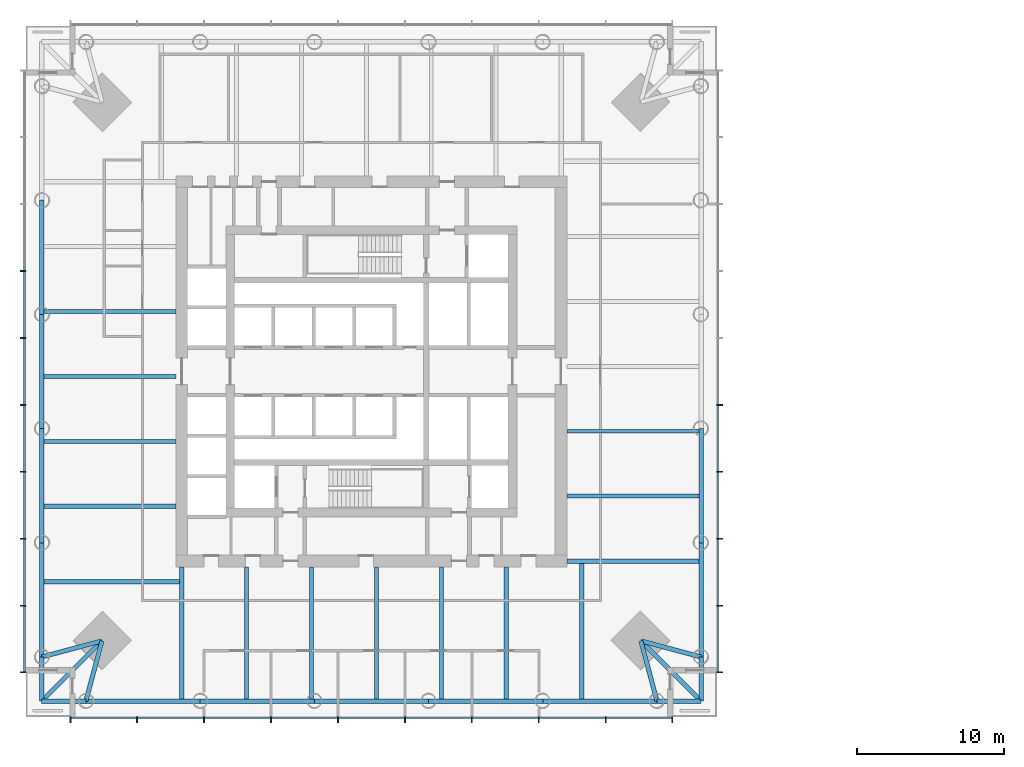
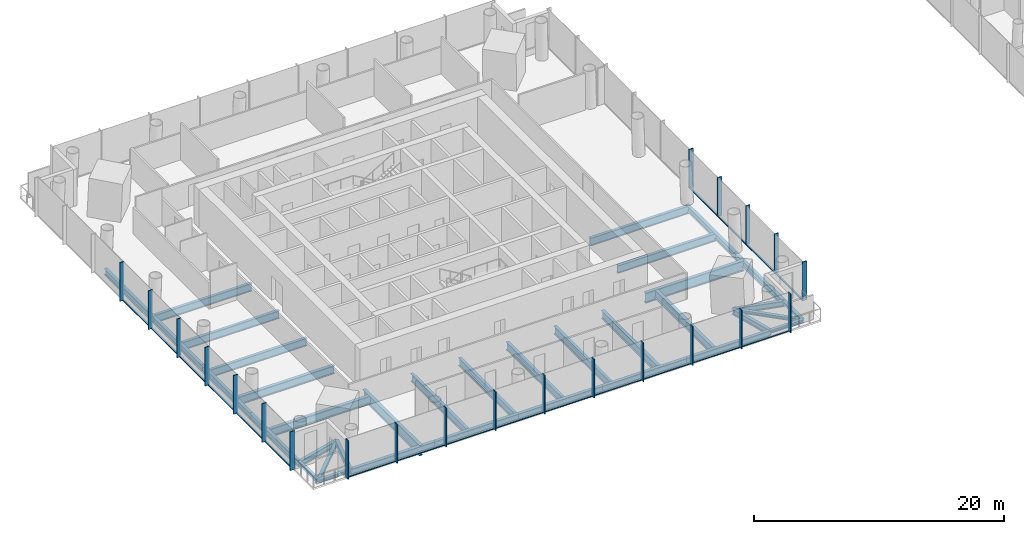
# One storey, part 2 of 18: 41 members, 36 beams, 3 elements without a shape of their own.
"""IFC4 building model written with IfcOpenShell, lengths in metres."""

from ifc_helpers import new_model, si_unit, direction, frame, origin, origin_2d, place, context, subcontext, project, spatial, rectangle, i_section, extrude, material, material_profile, profile_set, type_object, element, aggregate, save


model = new_model("IFC4")

# Units and contexts
model_context = context("Model", 3, precision=1e-05, world=origin(), true_north=direction((0.0, 1.0)))
body_context = subcontext(model_context, "Body", "Model", "MODEL_VIEW")
ifc_project = project(units=[si_unit("LENGTHUNIT", "METRE"), si_unit("AREAUNIT", "SQUARE_METRE"), si_unit("VOLUMEUNIT", "CUBIC_METRE"), si_unit("PLANEANGLEUNIT", "RADIAN"), si_unit("MASSUNIT", "GRAM", prefix="KILO")], contexts=[model_context])

# Site, building, storey
site_placement = place(None, origin())
site = spatial("IfcSite", under=ifc_project, at=site_placement, CompositionType="ELEMENT")
building_placement = place(site_placement, origin())
building = spatial("IfcBuilding", under=site, at=building_placement, Name="Ostroluk Exchange", CompositionType="ELEMENT")
storey_placement = place(building_placement, frame((0.0, 0.0, 70.39990234375)))
storey = spatial("IfcBuildingStorey", under=building, at=storey_placement, Name="L17", CompositionType="ELEMENT", Elevation=70.39990234375)

# Beams
ifc_material_1 = material(Name="Steel S355", Category="steel")
ifc_material_profile_1 = material_profile(ifc_material_1, i_section(OverallWidth=0.300048828125, OverallDepth=0.300048828125, WebThickness=0.010986328125, FlangeThickness=0.01904296875, FilletRadius=0.027099609375, at=origin_2d()), Name="HEB 300")
ifc_profile_set_1 = profile_set([ifc_material_profile_1], Name="Steel S355")
beam_type_1 = type_object("IfcBeamType", Name="Balcony beam HEB 300", PredefinedType="BEAM", material=ifc_profile_set_1)
for number, where, z_axis, x_axis, name in (
    (1, (22.57861328125, 26.57861328125, -0.329833984375), (0.0, -1.0, 0.0), (1.0, 0.0, 0.0), "T1 west balcony beam a"),
    (2, (25.57861328125, 23.57861328125, -0.329833984375), (-1.0, 0.0, 0.0), (0.0, -1.0, 0.0), "T1 west balcony beam b"),
):
    element("IfcBeam", number, at=place(storey_placement, frame(where, z_axis=z_axis, x_axis=x_axis)), inside=storey, type_object=beam_type_1, Name=name, PredefinedType="BEAM", context=body_context, shape_type="SweptSolid", body=[
        extrude(i_section(OverallWidth=0.300048828125, OverallDepth=0.300048828125, WebThickness=0.010986328125, FlangeThickness=0.01904296875, FilletRadius=0.027099609375, at=origin_2d()), origin(), (0.0, 0.0, 1.0), 3.0),
    ])
beam_1_placement = place(storey_placement, frame((26.678466796875, 27.678466796875, -0.329833984375), z_axis=(-0.707106781187, -0.707106781187, 0.0), x_axis=(0.707106781187, -0.707106781187, 0.0)))
element("IfcBeam", 3, at=beam_1_placement, inside=storey, type_object=beam_type_1, Name="T1 west balcony beam c", PredefinedType="BEAM", context=body_context, shape_type="SweptSolid", body=[
    extrude(i_section(OverallWidth=0.300048828125, OverallDepth=0.300048828125, WebThickness=0.010986328125, FlangeThickness=0.01904296875, FilletRadius=0.027099609375, at=origin_2d()), origin(), (0.0, 0.0, 1.0), 5.798095703125),
])
for number, where, z_axis, x_axis, name in (
    (4, (64.42138671875, 23.57861328125, -0.329833984375), (1.0, 0.0, 0.0), (0.0, 1.0, 0.0), "T1 south balcony beam a"),
    (5, (67.42138671875, 26.57861328125, -0.329833984375), (0.0, -1.0, 0.0), (1.0, 0.0, 0.0), "T1 south balcony beam b"),
):
    element("IfcBeam", number, at=place(storey_placement, frame(where, z_axis=z_axis, x_axis=x_axis)), inside=storey, type_object=beam_type_1, Name=name, PredefinedType="BEAM", context=body_context, shape_type="SweptSolid", body=[
        extrude(i_section(OverallWidth=0.300048828125, OverallDepth=0.300048828125, WebThickness=0.010986328125, FlangeThickness=0.01904296875, FilletRadius=0.027099609375, at=origin_2d()), origin(), (0.0, 0.0, 1.0), 3.0),
    ])
beam_2_placement = place(storey_placement, frame((63.321533203125, 27.678466796875, -0.329833984375), z_axis=(0.707106781187, -0.707106781187, 0.0), x_axis=(0.707106781187, 0.707106781187, 0.0)))
element("IfcBeam", 6, at=beam_2_placement, inside=storey, type_object=beam_type_1, Name="T1 south balcony beam c", PredefinedType="BEAM", context=body_context, shape_type="SweptSolid", body=[
    extrude(i_section(OverallWidth=0.300048828125, OverallDepth=0.300048828125, WebThickness=0.010986328125, FlangeThickness=0.01904296875, FilletRadius=0.027099609375, at=origin_2d()), origin(), (0.0, 0.0, 1.0), 5.798095703125),
])
ifc_material_2 = material(Name="Steel S355", Category="steel")
ifc_material_profile_2 = material_profile(ifc_material_2, i_section(OverallWidth=0.300048828125, OverallDepth=0.550048828125, WebThickness=0.014892578125, FlangeThickness=0.029052734375, FilletRadius=0.027099609375, at=origin_2d()), Name="HEB 550")
ifc_profile_set_2 = profile_set([ifc_material_profile_2], Name="Steel S355")
beam_type_2 = type_object("IfcBeamType", Name="Corner edge beam HEB 550", PredefinedType="SPANDREL", material=ifc_profile_set_2)
for number, where, z_axis, x_axis, name in (
    (7, (26.678466796875, 27.678466796875, -0.454833984375), (-0.965849156574, -0.259105011038, 0.0), (0.259105011038, -0.965849156574, 0.0), "T1 west corner edge beam a"),
    (8, (26.678466796875, 27.678466796875, -0.454833984375), (-0.259105011038, -0.965849156574, 0.0), (0.965849156574, -0.259105011038, 0.0), "T1 west corner edge beam b"),
    (9, (63.321533203125, 27.678466796875, -0.454833984375), (0.259105011038, -0.965849156574, 0.0), (0.965849156574, 0.259105011038, 0.0), "T1 south corner edge beam a"),
    (10, (63.321533203125, 27.678466796875, -0.454833984375), (0.965849156574, -0.259105011038, 0.0), (0.259105011038, 0.965849156574, 0.0), "T1 south corner edge beam b"),
):
    element("IfcBeam", number, at=place(storey_placement, frame(where, z_axis=z_axis, x_axis=x_axis)), inside=storey, type_object=beam_type_2, Name=name, PredefinedType="SPANDREL", context=body_context, shape_type="SweptSolid", body=[
        extrude(i_section(OverallWidth=0.300048828125, OverallDepth=0.550048828125, WebThickness=0.014892578125, FlangeThickness=0.029052734375, FilletRadius=0.027099609375, at=origin_2d()), origin(), (0.0, 0.0, 1.0), 4.244873046875),
    ])
ifc_material_3 = material(Name="Steel S355", Category="steel")
ifc_material_profile_3 = material_profile(ifc_material_3, i_section(OverallWidth=0.302978515625, OverallDepth=0.81396484375, WebThickness=0.02099609375, FlangeThickness=0.0400390625, FilletRadius=0.030029296875, at=origin_2d()), Name="HEM 800")
ifc_profile_set_3 = profile_set([ifc_material_profile_3], Name="Steel S355")
beam_type_3 = type_object("IfcBeamType", Name="Floor beam HEM 800", PredefinedType="BEAM", material=ifc_profile_set_3)
beam_3_placement = place(storey_placement, frame((31.699951171875, 36.82421875, -0.5869140625), z_axis=(-1.0, 0.0, 0.0), x_axis=(0.0, -1.0, 0.0)))
element("IfcBeam", 11, at=beam_3_placement, inside=storey, type_object=beam_type_3, Name="T1 west floor beam 5", PredefinedType="BEAM", context=body_context, shape_type="SweptSolid", body=[
    extrude(i_section(OverallWidth=0.302978515625, OverallDepth=0.81396484375, WebThickness=0.02099609375, FlangeThickness=0.0400390625, FilletRadius=0.030029296875, at=origin_2d()), origin(), (0.0, 0.0, 1.0), 9.121337890625),
])
beam_4_placement = place(storey_placement, frame((32.10009765625, 31.699951171875, -0.5869140625), z_axis=(-1.0, 0.0, 0.0), x_axis=(0.0, -1.0, 0.0)))
element("IfcBeam", 12, at=beam_4_placement, inside=storey, type_object=beam_type_3, Name="T1 west floor beam 6", PredefinedType="BEAM", context=body_context, shape_type="SweptSolid", body=[
    extrude(i_section(OverallWidth=0.302978515625, OverallDepth=0.81396484375, WebThickness=0.02099609375, FlangeThickness=0.0400390625, FilletRadius=0.030029296875, at=origin_2d()), origin(), (0.0, 0.0, 1.0), 9.521484375),
])
beam_5_placement = place(storey_placement, frame((54.17578125, 32.699951171875, -0.5869140625), z_axis=(0.0, -1.0, 0.0), x_axis=(1.0, 0.0, 0.0)))
element("IfcBeam", 13, at=beam_5_placement, inside=storey, type_object=beam_type_3, Name="T1 south floor beam 5", PredefinedType="BEAM", context=body_context, shape_type="SweptSolid", body=[
    extrude(i_section(OverallWidth=0.302978515625, OverallDepth=0.81396484375, WebThickness=0.02099609375, FlangeThickness=0.0400390625, FilletRadius=0.030029296875, at=origin_2d()), origin(), (0.0, 0.0, 1.0), 9.121337890625),
])
beam_6_placement = place(storey_placement, frame((59.300048828125, 33.10009765625, -0.5869140625), z_axis=(0.0, -1.0, 0.0), x_axis=(1.0, 0.0, 0.0)))
element("IfcBeam", 14, at=beam_6_placement, inside=storey, type_object=beam_type_3, Name="T1 south floor beam 6", PredefinedType="BEAM", context=body_context, shape_type="SweptSolid", body=[
    extrude(i_section(OverallWidth=0.302978515625, OverallDepth=0.81396484375, WebThickness=0.02099609375, FlangeThickness=0.0400390625, FilletRadius=0.030029296875, at=origin_2d()), origin(), (0.0, 0.0, 1.0), 9.521484375),
])
ifc_material_4 = material(Name="Steel S355", Category="steel")
ifc_material_profile_4 = material_profile(ifc_material_4, i_section(OverallWidth=0.26806640625, OverallDepth=0.77001953125, WebThickness=0.015625, FlangeThickness=0.025390625, FilletRadius=0.01708984375, at=origin_2d()), Name="IPE 750x196")
ifc_profile_set_4 = profile_set([ifc_material_profile_4], Name="Steel S355")
beam_type_4 = type_object("IfcBeamType", Name="Floor beam IPE 750x196", PredefinedType="BEAM", material=ifc_profile_set_4)
for number, where, z_axis, x_axis, name in (
    (15, (58.300048828125, 37.51513671875, -0.56494140625), (1.0, 0.0, 0.0), (0.0, 1.0, 0.0), "T1 east floor beam 1"),
    (16, (58.300048828125, 41.930419921875, -0.56494140625), (1.0, 0.0, 0.0), (0.0, 1.0, 0.0), "T1 east floor beam 2"),
    (17, (31.699951171875, 50.069580078125, -0.56494140625), (-1.0, 0.0, 0.0), (0.0, -1.0, 0.0), "T1 west floor beam 2"),
    (18, (31.699951171875, 45.654541015625, -0.56494140625), (-1.0, 0.0, 0.0), (0.0, -1.0, 0.0), "T1 west floor beam 3"),
    (19, (31.699951171875, 41.2392578125, -0.56494140625), (-1.0, 0.0, 0.0), (0.0, -1.0, 0.0), "T1 west floor beam 4"),
    (20, (36.51513671875, 32.699951171875, -0.56494140625), (0.0, -1.0, 0.0), (1.0, 0.0, 0.0), "T1 south floor beam 1"),
    (21, (40.930419921875, 32.699951171875, -0.56494140625), (0.0, -1.0, 0.0), (1.0, 0.0, 0.0), "T1 south floor beam 2"),
    (22, (45.345458984375, 32.699951171875, -0.56494140625), (0.0, -1.0, 0.0), (1.0, 0.0, 0.0), "T1 south floor beam 3"),
    (23, (49.7607421875, 32.699951171875, -0.56494140625), (0.0, -1.0, 0.0), (1.0, 0.0, 0.0), "T1 south floor beam 4"),
):
    element("IfcBeam", number, at=place(storey_placement, frame(where, z_axis=z_axis, x_axis=x_axis)), inside=storey, type_object=beam_type_4, Name=name, PredefinedType="BEAM", context=body_context, shape_type="SweptSolid", body=[
        extrude(i_section(OverallWidth=0.26806640625, OverallDepth=0.77001953125, WebThickness=0.015625, FlangeThickness=0.025390625, FilletRadius=0.01708984375, at=origin_2d()), origin(), (0.0, 0.0, 1.0), 9.121337890625),
    ])
ifc_material_5 = material(Name="Steel S355", Category="steel")
ifc_material_profile_5 = material_profile(ifc_material_5, i_section(OverallWidth=0.302001953125, OverallDepth=1.008056640625, WebThickness=0.02099609375, FlangeThickness=0.0400390625, FilletRadius=0.030029296875, at=origin_2d()), Name="HEM 1000")
ifc_profile_set_5 = profile_set([ifc_material_profile_5], Name="Steel S355")
beam_type_5 = type_object("IfcBeamType", Name="Girder HEM 1000", PredefinedType="BEAM", material=ifc_profile_set_5)
for number, where, z_axis, x_axis, name in (
    (24, (32.10009765625, 32.699951171875, -0.683837890625), (0.0, -1.0, 0.0), (1.0, 0.0, 0.0), "T1 west girder"),
    (25, (58.300048828125, 33.10009765625, -0.683837890625), (1.0, 0.0, 0.0), (0.0, 1.0, 0.0), "T1 south girder"),
):
    element("IfcBeam", number, at=place(storey_placement, frame(where, z_axis=z_axis, x_axis=x_axis)), inside=storey, type_object=beam_type_5, Name=name, PredefinedType="BEAM", context=body_context, shape_type="SweptSolid", body=[
        extrude(i_section(OverallWidth=0.302001953125, OverallDepth=1.008056640625, WebThickness=0.02099609375, FlangeThickness=0.0400390625, FilletRadius=0.030029296875, at=origin_2d()), origin(), (0.0, 0.0, 1.0), 9.121337890625),
    ])
ifc_material_6 = material(Name="Steel S355", Category="steel")
ifc_material_profile_6 = material_profile(ifc_material_6, i_section(OverallWidth=0.300048828125, OverallDepth=0.60009765625, WebThickness=0.015380859375, FlangeThickness=0.030029296875, FilletRadius=0.027099609375, at=origin_2d()), Name="HEB 600")
ifc_profile_set_6 = profile_set([ifc_material_profile_6], Name="Steel S355")
beam_type_6 = type_object("IfcBeamType", Name="Moment-connected edge beam HEB 600", PredefinedType="SPANDREL", material=ifc_profile_set_6)
for number, where, z_axis, x_axis, name in (
    (26, (67.42138671875, 26.57861328125, -0.47998046875), (0.0, 1.0, 0.0), (-1.0, 0.0, 0.0), "T1 east edge beam 1"),
    (27, (67.42138671875, 34.34716796875, -0.47998046875), (0.0, 1.0, 0.0), (-1.0, 0.0, 0.0), "T1 east edge beam 2"),
    (28, (22.57861328125, 57.65283203125, -0.47998046875), (0.0, -1.0, 0.0), (1.0, 0.0, 0.0), "T1 west edge beam 2"),
    (29, (22.57861328125, 49.88427734375, -0.47998046875), (0.0, -1.0, 0.0), (1.0, 0.0, 0.0), "T1 west edge beam 3"),
    (30, (22.57861328125, 42.11572265625, -0.47998046875), (0.0, -1.0, 0.0), (1.0, 0.0, 0.0), "T1 west edge beam 4"),
    (31, (22.57861328125, 34.34716796875, -0.47998046875), (0.0, -1.0, 0.0), (1.0, 0.0, 0.0), "T1 west edge beam 5"),
    (32, (25.57861328125, 23.57861328125, -0.47998046875), (1.0, 0.0, 0.0), (0.0, 1.0, 0.0), "T1 south edge beam 1"),
    (33, (33.34716796875, 23.57861328125, -0.47998046875), (1.0, 0.0, 0.0), (0.0, 1.0, 0.0), "T1 south edge beam 2"),
    (34, (41.11572265625, 23.57861328125, -0.47998046875), (1.0, 0.0, 0.0), (0.0, 1.0, 0.0), "T1 south edge beam 3"),
    (35, (48.88427734375, 23.57861328125, -0.47998046875), (1.0, 0.0, 0.0), (0.0, 1.0, 0.0), "T1 south edge beam 4"),
    (36, (56.65283203125, 23.57861328125, -0.47998046875), (1.0, 0.0, 0.0), (0.0, 1.0, 0.0), "T1 south edge beam 5"),
):
    element("IfcBeam", number, at=place(storey_placement, frame(where, z_axis=z_axis, x_axis=x_axis)), inside=storey, type_object=beam_type_6, Name=name, PredefinedType="SPANDREL", context=body_context, shape_type="SweptSolid", body=[
        extrude(i_section(OverallWidth=0.300048828125, OverallDepth=0.60009765625, WebThickness=0.015380859375, FlangeThickness=0.030029296875, FilletRadius=0.027099609375, at=origin_2d()), origin(), (0.0, 0.0, 1.0), 7.7685546875),
    ])

# Curtain wall, members
ifc_material_7 = material(Name="Laminated clear glass", Category="glass")
curtain_wall_type = type_object("IfcCurtainWallType", Name="Office tower facade", PredefinedType="USERDEFINED", material=ifc_material_7)
curtain_wall_1_placement = place(storey_placement, origin())
curtain_wall_1 = element("IfcCurtainWall", 37, at=curtain_wall_1_placement, inside=storey, type_object=curtain_wall_type, Name="Office tower south facade L17", ObjectType="UNITISED CURTAIN WALL", PredefinedType="USERDEFINED")
ifc_material_8 = material(Name="Aluminium mullion", Category="aluminium")
ifc_material_profile_7 = material_profile(ifc_material_8, rectangle(XDim=0.14990234375, YDim=0.080078125, at=origin_2d()), Name="Sill transom 80 x 150")
ifc_profile_set_7 = profile_set([ifc_material_profile_7], Name="Aluminium mullion")
member_type_1 = type_object("IfcMemberType", Name="Sill transom 80 x 150", PredefinedType="USERDEFINED", material=ifc_profile_set_7)
member_1_placement = place(storey_placement, frame((24.580078125, 22.425048828125, 0.0400390625), z_axis=(1.0, 0.0, 0.0), x_axis=(0.0, 1.0, 0.0)))
member_1 = element("IfcMember", 38, at=member_1_placement, type_object=member_type_1, Name="CW-O1 transom 1.1", ObjectType="TRANSOM", PredefinedType="USERDEFINED", context=body_context, shape_type="SweptSolid", body=[
    extrude(rectangle(XDim=0.14990234375, YDim=0.080078125, at=origin_2d()), origin(), (0.0, 0.0, 1.0), 4.435546875),
])
member_2_placement = place(storey_placement, frame((29.095458984375, 22.425048828125, 0.0400390625), z_axis=(1.0, 0.0, 0.0), x_axis=(0.0, 1.0, 0.0)))
member_2 = element("IfcMember", 39, at=member_2_placement, type_object=member_type_1, Name="CW-O1 transom 2.1", ObjectType="TRANSOM", PredefinedType="USERDEFINED", context=body_context, shape_type="SweptSolid", body=[
    extrude(rectangle(XDim=0.14990234375, YDim=0.080078125, at=origin_2d()), origin(), (0.0, 0.0, 1.0), 4.4755859375),
])
member_3_placement = place(storey_placement, frame((33.651123046875, 22.425048828125, 0.0400390625), z_axis=(1.0, 0.0, 0.0), x_axis=(0.0, 1.0, 0.0)))
member_3 = element("IfcMember", 40, at=member_3_placement, type_object=member_type_1, Name="CW-O1 transom 3.1", ObjectType="TRANSOM", PredefinedType="USERDEFINED", context=body_context, shape_type="SweptSolid", body=[
    extrude(rectangle(XDim=0.14990234375, YDim=0.080078125, at=origin_2d()), origin(), (0.0, 0.0, 1.0), 4.4755859375),
])
member_4_placement = place(storey_placement, frame((38.206787109375, 22.425048828125, 0.0400390625), z_axis=(1.0, 0.0, 0.0), x_axis=(0.0, 1.0, 0.0)))
member_4 = element("IfcMember", 41, at=member_4_placement, type_object=member_type_1, Name="CW-O1 transom 4.1", ObjectType="TRANSOM", PredefinedType="USERDEFINED", context=body_context, shape_type="SweptSolid", body=[
    extrude(rectangle(XDim=0.14990234375, YDim=0.080078125, at=origin_2d()), origin(), (0.0, 0.0, 1.0), 4.475341796875),
])
member_5_placement = place(storey_placement, frame((42.76220703125, 22.425048828125, 0.0400390625), z_axis=(1.0, 0.0, 0.0), x_axis=(0.0, 1.0, 0.0)))
member_5 = element("IfcMember", 42, at=member_5_placement, type_object=member_type_1, Name="CW-O1 transom 5.1", ObjectType="TRANSOM", PredefinedType="USERDEFINED", context=body_context, shape_type="SweptSolid", body=[
    extrude(rectangle(XDim=0.14990234375, YDim=0.080078125, at=origin_2d()), origin(), (0.0, 0.0, 1.0), 4.4755859375),
])
member_6_placement = place(storey_placement, frame((47.31787109375, 22.425048828125, 0.0400390625), z_axis=(1.0, 0.0, 0.0), x_axis=(0.0, 1.0, 0.0)))
member_6 = element("IfcMember", 43, at=member_6_placement, type_object=member_type_1, Name="CW-O1 transom 6.1", ObjectType="TRANSOM", PredefinedType="USERDEFINED", context=body_context, shape_type="SweptSolid", body=[
    extrude(rectangle(XDim=0.14990234375, YDim=0.080078125, at=origin_2d()), origin(), (0.0, 0.0, 1.0), 4.475341796875),
])
member_7_placement = place(storey_placement, frame((51.873291015625, 22.425048828125, 0.0400390625), z_axis=(1.0, 0.0, 0.0), x_axis=(0.0, 1.0, 0.0)))
member_7 = element("IfcMember", 44, at=member_7_placement, type_object=member_type_1, Name="CW-O1 transom 7.1", ObjectType="TRANSOM", PredefinedType="USERDEFINED", context=body_context, shape_type="SweptSolid", body=[
    extrude(rectangle(XDim=0.14990234375, YDim=0.080078125, at=origin_2d()), origin(), (0.0, 0.0, 1.0), 4.4755859375),
])
member_8_placement = place(storey_placement, frame((56.428955078125, 22.425048828125, 0.0400390625), z_axis=(1.0, 0.0, 0.0), x_axis=(0.0, 1.0, 0.0)))
member_8 = element("IfcMember", 45, at=member_8_placement, type_object=member_type_1, Name="CW-O1 transom 8.1", ObjectType="TRANSOM", PredefinedType="USERDEFINED", context=body_context, shape_type="SweptSolid", body=[
    extrude(rectangle(XDim=0.14990234375, YDim=0.080078125, at=origin_2d()), origin(), (0.0, 0.0, 1.0), 4.4755859375),
])
member_9_placement = place(storey_placement, frame((60.984375, 22.425048828125, 0.0400390625), z_axis=(1.0, 0.0, 0.0), x_axis=(0.0, 1.0, 0.0)))
member_9 = element("IfcMember", 46, at=member_9_placement, type_object=member_type_1, Name="CW-O1 transom 9.1", ObjectType="TRANSOM", PredefinedType="USERDEFINED", context=body_context, shape_type="SweptSolid", body=[
    extrude(rectangle(XDim=0.14990234375, YDim=0.080078125, at=origin_2d()), origin(), (0.0, 0.0, 1.0), 4.435546875),
])

curtain_wall_2_placement = place(storey_placement, origin())
curtain_wall_2 = element("IfcCurtainWall", 47, at=curtain_wall_2_placement, inside=storey, type_object=curtain_wall_type, Name="Office tower east facade L17", ObjectType="UNITISED CURTAIN WALL", PredefinedType="USERDEFINED")
member_10_placement = place(storey_placement, frame((68.574951171875, 25.580078125, 0.0400390625), z_axis=(0.0, 1.0, 0.0), x_axis=(-1.0, 0.0, 0.0)))
member_10 = element("IfcMember", 48, at=member_10_placement, type_object=member_type_1, Name="CW-O1 transom 1.1", ObjectType="TRANSOM", PredefinedType="USERDEFINED", context=body_context, shape_type="SweptSolid", body=[
    extrude(rectangle(XDim=0.14990234375, YDim=0.080078125, at=origin_2d()), origin(), (0.0, 0.0, 1.0), 4.435546875),
])
member_11_placement = place(storey_placement, frame((68.574951171875, 30.095458984375, 0.0400390625), z_axis=(0.0, 1.0, 0.0), x_axis=(-1.0, 0.0, 0.0)))
member_11 = element("IfcMember", 49, at=member_11_placement, type_object=member_type_1, Name="CW-O1 transom 2.1", ObjectType="TRANSOM", PredefinedType="USERDEFINED", context=body_context, shape_type="SweptSolid", body=[
    extrude(rectangle(XDim=0.14990234375, YDim=0.080078125, at=origin_2d()), origin(), (0.0, 0.0, 1.0), 4.4755859375),
])
member_12_placement = place(storey_placement, frame((68.574951171875, 34.651123046875, 0.0400390625), z_axis=(0.0, 1.0, 0.0), x_axis=(-1.0, 0.0, 0.0)))
member_12 = element("IfcMember", 50, at=member_12_placement, type_object=member_type_1, Name="CW-O1 transom 3.1", ObjectType="TRANSOM", PredefinedType="USERDEFINED", context=body_context, shape_type="SweptSolid", body=[
    extrude(rectangle(XDim=0.14990234375, YDim=0.080078125, at=origin_2d()), origin(), (0.0, 0.0, 1.0), 4.4755859375),
])
member_13_placement = place(storey_placement, frame((68.574951171875, 39.206787109375, 0.0400390625), z_axis=(0.0, 1.0, 0.0), x_axis=(-1.0, 0.0, 0.0)))
member_13 = element("IfcMember", 51, at=member_13_placement, type_object=member_type_1, Name="CW-O1 transom 4.1", ObjectType="TRANSOM", PredefinedType="USERDEFINED", context=body_context, shape_type="SweptSolid", body=[
    extrude(rectangle(XDim=0.14990234375, YDim=0.080078125, at=origin_2d()), origin(), (0.0, 0.0, 1.0), 4.475341796875),
])

curtain_wall_3_placement = place(storey_placement, origin())
curtain_wall_3 = element("IfcCurtainWall", 52, at=curtain_wall_3_placement, inside=storey, type_object=curtain_wall_type, Name="Office tower west facade L17", ObjectType="UNITISED CURTAIN WALL", PredefinedType="USERDEFINED")
member_14_placement = place(storey_placement, frame((21.425048828125, 52.793212890625, 0.0400390625), z_axis=(0.0, -1.0, 0.0), x_axis=(1.0, 0.0, 0.0)))
member_14 = element("IfcMember", 53, at=member_14_placement, type_object=member_type_1, Name="CW-O1 transom 4.1", ObjectType="TRANSOM", PredefinedType="USERDEFINED", context=body_context, shape_type="SweptSolid", body=[
    extrude(rectangle(XDim=0.14990234375, YDim=0.080078125, at=origin_2d()), origin(), (0.0, 0.0, 1.0), 4.475341796875),
])
member_15_placement = place(storey_placement, frame((21.425048828125, 48.23779296875, 0.0400390625), z_axis=(0.0, -1.0, 0.0), x_axis=(1.0, 0.0, 0.0)))
member_15 = element("IfcMember", 54, at=member_15_placement, type_object=member_type_1, Name="CW-O1 transom 5.1", ObjectType="TRANSOM", PredefinedType="USERDEFINED", context=body_context, shape_type="SweptSolid", body=[
    extrude(rectangle(XDim=0.14990234375, YDim=0.080078125, at=origin_2d()), origin(), (0.0, 0.0, 1.0), 4.4755859375),
])
member_16_placement = place(storey_placement, frame((21.425048828125, 43.68212890625, 0.0400390625), z_axis=(0.0, -1.0, 0.0), x_axis=(1.0, 0.0, 0.0)))
member_16 = element("IfcMember", 55, at=member_16_placement, type_object=member_type_1, Name="CW-O1 transom 6.1", ObjectType="TRANSOM", PredefinedType="USERDEFINED", context=body_context, shape_type="SweptSolid", body=[
    extrude(rectangle(XDim=0.14990234375, YDim=0.080078125, at=origin_2d()), origin(), (0.0, 0.0, 1.0), 4.475341796875),
])
member_17_placement = place(storey_placement, frame((21.425048828125, 39.126708984375, 0.0400390625), z_axis=(0.0, -1.0, 0.0), x_axis=(1.0, 0.0, 0.0)))
member_17 = element("IfcMember", 56, at=member_17_placement, type_object=member_type_1, Name="CW-O1 transom 7.1", ObjectType="TRANSOM", PredefinedType="USERDEFINED", context=body_context, shape_type="SweptSolid", body=[
    extrude(rectangle(XDim=0.14990234375, YDim=0.080078125, at=origin_2d()), origin(), (0.0, 0.0, 1.0), 4.4755859375),
])
member_18_placement = place(storey_placement, frame((21.425048828125, 34.571044921875, 0.0400390625), z_axis=(0.0, -1.0, 0.0), x_axis=(1.0, 0.0, 0.0)))
member_18 = element("IfcMember", 57, at=member_18_placement, type_object=member_type_1, Name="CW-O1 transom 8.1", ObjectType="TRANSOM", PredefinedType="USERDEFINED", context=body_context, shape_type="SweptSolid", body=[
    extrude(rectangle(XDim=0.14990234375, YDim=0.080078125, at=origin_2d()), origin(), (0.0, 0.0, 1.0), 4.4755859375),
])
member_19_placement = place(storey_placement, frame((21.425048828125, 30.015625, 0.0400390625), z_axis=(0.0, -1.0, 0.0), x_axis=(1.0, 0.0, 0.0)))
member_19 = element("IfcMember", 58, at=member_19_placement, type_object=member_type_1, Name="CW-O1 transom 9.1", ObjectType="TRANSOM", PredefinedType="USERDEFINED", context=body_context, shape_type="SweptSolid", body=[
    extrude(rectangle(XDim=0.14990234375, YDim=0.080078125, at=origin_2d()), origin(), (0.0, 0.0, 1.0), 4.435546875),
])

# Member
ifc_material_9 = material(Name="Aluminium mullion with limestone facing", Category="masonry")
ifc_material_profile_8 = material_profile(ifc_material_9, rectangle(XDim=0.39990234375, YDim=0.080078125, at=origin_2d()), Name="Tracery mullion 80 x 400")
ifc_profile_set_8 = profile_set([ifc_material_profile_8], Name="Aluminium mullion with limestone facing")
member_type_2 = type_object("IfcMemberType", Name="Tracery mullion 80 x 400", PredefinedType="MULLION", material=ifc_profile_set_8)
member_20_placement = place(storey_placement, frame((24.5400390625, 22.300048828125, 0.0), z_axis=(0.0, 0.0, 1.0), x_axis=(0.0, 1.0, 0.0)))
member_20 = element("IfcMember", 59, at=member_20_placement, type_object=member_type_2, Name="CW-O1 mullion 1", PredefinedType="MULLION", context=body_context, shape_type="SweptSolid", body=[
    extrude(rectangle(XDim=0.39990234375, YDim=0.080078125, at=origin_2d()), origin(), (0.0, 0.0, 1.0), 3.800048828125),
])

member_21_placement = place(storey_placement, frame((29.0556640625, 22.300048828125, 0.0), z_axis=(0.0, 0.0, 1.0), x_axis=(0.0, 1.0, 0.0)))
member_21 = element("IfcMember", 60, at=member_21_placement, type_object=member_type_2, Name="CW-O1 mullion 2", PredefinedType="MULLION", context=body_context, shape_type="SweptSolid", body=[
    extrude(rectangle(XDim=0.39990234375, YDim=0.080078125, at=origin_2d()), origin(), (0.0, 0.0, 1.0), 3.800048828125),
])

member_22_placement = place(storey_placement, frame((33.611083984375, 22.300048828125, 0.0), z_axis=(0.0, 0.0, 1.0), x_axis=(0.0, 1.0, 0.0)))
member_22 = element("IfcMember", 61, at=member_22_placement, type_object=member_type_2, Name="CW-O1 mullion 3", PredefinedType="MULLION", context=body_context, shape_type="SweptSolid", body=[
    extrude(rectangle(XDim=0.39990234375, YDim=0.080078125, at=origin_2d()), origin(), (0.0, 0.0, 1.0), 3.800048828125),
])

member_23_placement = place(storey_placement, frame((38.166748046875, 22.300048828125, 0.0), z_axis=(0.0, 0.0, 1.0), x_axis=(0.0, 1.0, 0.0)))
member_23 = element("IfcMember", 62, at=member_23_placement, type_object=member_type_2, Name="CW-O1 mullion 4", PredefinedType="MULLION", context=body_context, shape_type="SweptSolid", body=[
    extrude(rectangle(XDim=0.39990234375, YDim=0.080078125, at=origin_2d()), origin(), (0.0, 0.0, 1.0), 3.800048828125),
])

member_24_placement = place(storey_placement, frame((42.72216796875, 22.300048828125, 0.0), z_axis=(0.0, 0.0, 1.0), x_axis=(0.0, 1.0, 0.0)))
member_24 = element("IfcMember", 63, at=member_24_placement, type_object=member_type_2, Name="CW-O1 mullion 5", PredefinedType="MULLION", context=body_context, shape_type="SweptSolid", body=[
    extrude(rectangle(XDim=0.39990234375, YDim=0.080078125, at=origin_2d()), origin(), (0.0, 0.0, 1.0), 3.800048828125),
])

member_25_placement = place(storey_placement, frame((47.27783203125, 22.300048828125, 0.0), z_axis=(0.0, 0.0, 1.0), x_axis=(0.0, 1.0, 0.0)))
member_25 = element("IfcMember", 64, at=member_25_placement, type_object=member_type_2, Name="CW-O1 mullion 6", PredefinedType="MULLION", context=body_context, shape_type="SweptSolid", body=[
    extrude(rectangle(XDim=0.39990234375, YDim=0.080078125, at=origin_2d()), origin(), (0.0, 0.0, 1.0), 3.800048828125),
])

member_26_placement = place(storey_placement, frame((51.833251953125, 22.300048828125, 0.0), z_axis=(0.0, 0.0, 1.0), x_axis=(0.0, 1.0, 0.0)))
member_26 = element("IfcMember", 65, at=member_26_placement, type_object=member_type_2, Name="CW-O1 mullion 7", PredefinedType="MULLION", context=body_context, shape_type="SweptSolid", body=[
    extrude(rectangle(XDim=0.39990234375, YDim=0.080078125, at=origin_2d()), origin(), (0.0, 0.0, 1.0), 3.800048828125),
])

member_27_placement = place(storey_placement, frame((56.388916015625, 22.300048828125, 0.0), z_axis=(0.0, 0.0, 1.0), x_axis=(0.0, 1.0, 0.0)))
member_27 = element("IfcMember", 66, at=member_27_placement, type_object=member_type_2, Name="CW-O1 mullion 8", PredefinedType="MULLION", context=body_context, shape_type="SweptSolid", body=[
    extrude(rectangle(XDim=0.39990234375, YDim=0.080078125, at=origin_2d()), origin(), (0.0, 0.0, 1.0), 3.800048828125),
])

member_28_placement = place(storey_placement, frame((60.9443359375, 22.300048828125, 0.0), z_axis=(0.0, 0.0, 1.0), x_axis=(0.0, 1.0, 0.0)))
member_28 = element("IfcMember", 67, at=member_28_placement, type_object=member_type_2, Name="CW-O1 mullion 9", PredefinedType="MULLION", context=body_context, shape_type="SweptSolid", body=[
    extrude(rectangle(XDim=0.39990234375, YDim=0.080078125, at=origin_2d()), origin(), (0.0, 0.0, 1.0), 3.800048828125),
])

member_29_placement = place(storey_placement, frame((65.4599609375, 22.300048828125, 0.0), z_axis=(0.0, 0.0, 1.0), x_axis=(0.0, 1.0, 0.0)))
member_29 = element("IfcMember", 68, at=member_29_placement, type_object=member_type_2, Name="CW-O1 mullion 10", PredefinedType="MULLION", context=body_context, shape_type="SweptSolid", body=[
    extrude(rectangle(XDim=0.39990234375, YDim=0.080078125, at=origin_2d()), origin(), (0.0, 0.0, 1.0), 3.800048828125),
])

aggregate(curtain_wall_1, [member_20, member_21, member_22, member_23, member_24, member_25, member_26, member_27, member_28, member_29, member_1, member_2, member_3, member_4, member_5, member_6, member_7, member_8, member_9])

member_30_placement = place(storey_placement, frame((68.699951171875, 25.5400390625, 0.0), z_axis=(0.0, 0.0, 1.0), x_axis=(-1.0, 0.0, 0.0)))
member_30 = element("IfcMember", 69, at=member_30_placement, type_object=member_type_2, Name="CW-O1 mullion 1", PredefinedType="MULLION", context=body_context, shape_type="SweptSolid", body=[
    extrude(rectangle(XDim=0.39990234375, YDim=0.080078125, at=origin_2d()), origin(), (0.0, 0.0, 1.0), 3.800048828125),
])

member_31_placement = place(storey_placement, frame((68.699951171875, 30.0556640625, 0.0), z_axis=(0.0, 0.0, 1.0), x_axis=(-1.0, 0.0, 0.0)))
member_31 = element("IfcMember", 70, at=member_31_placement, type_object=member_type_2, Name="CW-O1 mullion 2", PredefinedType="MULLION", context=body_context, shape_type="SweptSolid", body=[
    extrude(rectangle(XDim=0.39990234375, YDim=0.080078125, at=origin_2d()), origin(), (0.0, 0.0, 1.0), 3.800048828125),
])

member_32_placement = place(storey_placement, frame((68.699951171875, 34.611083984375, 0.0), z_axis=(0.0, 0.0, 1.0), x_axis=(-1.0, 0.0, 0.0)))
member_32 = element("IfcMember", 71, at=member_32_placement, type_object=member_type_2, Name="CW-O1 mullion 3", PredefinedType="MULLION", context=body_context, shape_type="SweptSolid", body=[
    extrude(rectangle(XDim=0.39990234375, YDim=0.080078125, at=origin_2d()), origin(), (0.0, 0.0, 1.0), 3.800048828125),
])

member_33_placement = place(storey_placement, frame((68.699951171875, 39.166748046875, 0.0), z_axis=(0.0, 0.0, 1.0), x_axis=(-1.0, 0.0, 0.0)))
member_33 = element("IfcMember", 72, at=member_33_placement, type_object=member_type_2, Name="CW-O1 mullion 4", PredefinedType="MULLION", context=body_context, shape_type="SweptSolid", body=[
    extrude(rectangle(XDim=0.39990234375, YDim=0.080078125, at=origin_2d()), origin(), (0.0, 0.0, 1.0), 3.800048828125),
])

member_34_placement = place(storey_placement, frame((68.699951171875, 43.72216796875, 0.0), z_axis=(0.0, 0.0, 1.0), x_axis=(-1.0, 0.0, 0.0)))
member_34 = element("IfcMember", 73, at=member_34_placement, type_object=member_type_2, Name="CW-O1 mullion 5", PredefinedType="MULLION", context=body_context, shape_type="SweptSolid", body=[
    extrude(rectangle(XDim=0.39990234375, YDim=0.080078125, at=origin_2d()), origin(), (0.0, 0.0, 1.0), 3.800048828125),
])

aggregate(curtain_wall_2, [member_30, member_31, member_32, member_33, member_34, member_10, member_11, member_12, member_13])

member_35_placement = place(storey_placement, frame((21.300048828125, 52.833251953125, 0.0), z_axis=(0.0, 0.0, 1.0), x_axis=(1.0, 0.0, 0.0)))
member_35 = element("IfcMember", 74, at=member_35_placement, type_object=member_type_2, Name="CW-O1 mullion 4", PredefinedType="MULLION", context=body_context, shape_type="SweptSolid", body=[
    extrude(rectangle(XDim=0.39990234375, YDim=0.080078125, at=origin_2d()), origin(), (0.0, 0.0, 1.0), 3.800048828125),
])

member_36_placement = place(storey_placement, frame((21.300048828125, 48.27783203125, 0.0), z_axis=(0.0, 0.0, 1.0), x_axis=(1.0, 0.0, 0.0)))
member_36 = element("IfcMember", 75, at=member_36_placement, type_object=member_type_2, Name="CW-O1 mullion 5", PredefinedType="MULLION", context=body_context, shape_type="SweptSolid", body=[
    extrude(rectangle(XDim=0.39990234375, YDim=0.080078125, at=origin_2d()), origin(), (0.0, 0.0, 1.0), 3.800048828125),
])

member_37_placement = place(storey_placement, frame((21.300048828125, 43.72216796875, 0.0), z_axis=(0.0, 0.0, 1.0), x_axis=(1.0, 0.0, 0.0)))
member_37 = element("IfcMember", 76, at=member_37_placement, type_object=member_type_2, Name="CW-O1 mullion 6", PredefinedType="MULLION", context=body_context, shape_type="SweptSolid", body=[
    extrude(rectangle(XDim=0.39990234375, YDim=0.080078125, at=origin_2d()), origin(), (0.0, 0.0, 1.0), 3.800048828125),
])

member_38_placement = place(storey_placement, frame((21.300048828125, 39.166748046875, 0.0), z_axis=(0.0, 0.0, 1.0), x_axis=(1.0, 0.0, 0.0)))
member_38 = element("IfcMember", 77, at=member_38_placement, type_object=member_type_2, Name="CW-O1 mullion 7", PredefinedType="MULLION", context=body_context, shape_type="SweptSolid", body=[
    extrude(rectangle(XDim=0.39990234375, YDim=0.080078125, at=origin_2d()), origin(), (0.0, 0.0, 1.0), 3.800048828125),
])

member_39_placement = place(storey_placement, frame((21.300048828125, 34.611083984375, 0.0), z_axis=(0.0, 0.0, 1.0), x_axis=(1.0, 0.0, 0.0)))
member_39 = element("IfcMember", 78, at=member_39_placement, type_object=member_type_2, Name="CW-O1 mullion 8", PredefinedType="MULLION", context=body_context, shape_type="SweptSolid", body=[
    extrude(rectangle(XDim=0.39990234375, YDim=0.080078125, at=origin_2d()), origin(), (0.0, 0.0, 1.0), 3.800048828125),
])

member_40_placement = place(storey_placement, frame((21.300048828125, 30.0556640625, 0.0), z_axis=(0.0, 0.0, 1.0), x_axis=(1.0, 0.0, 0.0)))
member_40 = element("IfcMember", 79, at=member_40_placement, type_object=member_type_2, Name="CW-O1 mullion 9", PredefinedType="MULLION", context=body_context, shape_type="SweptSolid", body=[
    extrude(rectangle(XDim=0.39990234375, YDim=0.080078125, at=origin_2d()), origin(), (0.0, 0.0, 1.0), 3.800048828125),
])

member_41_placement = place(storey_placement, frame((21.300048828125, 25.5400390625, 0.0), z_axis=(0.0, 0.0, 1.0), x_axis=(1.0, 0.0, 0.0)))
member_41 = element("IfcMember", 80, at=member_41_placement, type_object=member_type_2, Name="CW-O1 mullion 10", PredefinedType="MULLION", context=body_context, shape_type="SweptSolid", body=[
    extrude(rectangle(XDim=0.39990234375, YDim=0.080078125, at=origin_2d()), origin(), (0.0, 0.0, 1.0), 3.800048828125),
])

aggregate(curtain_wall_3, [member_35, member_36, member_37, member_38, member_39, member_40, member_41, member_14, member_15, member_16, member_17, member_18, member_19])

save(model, "model.ifc")
